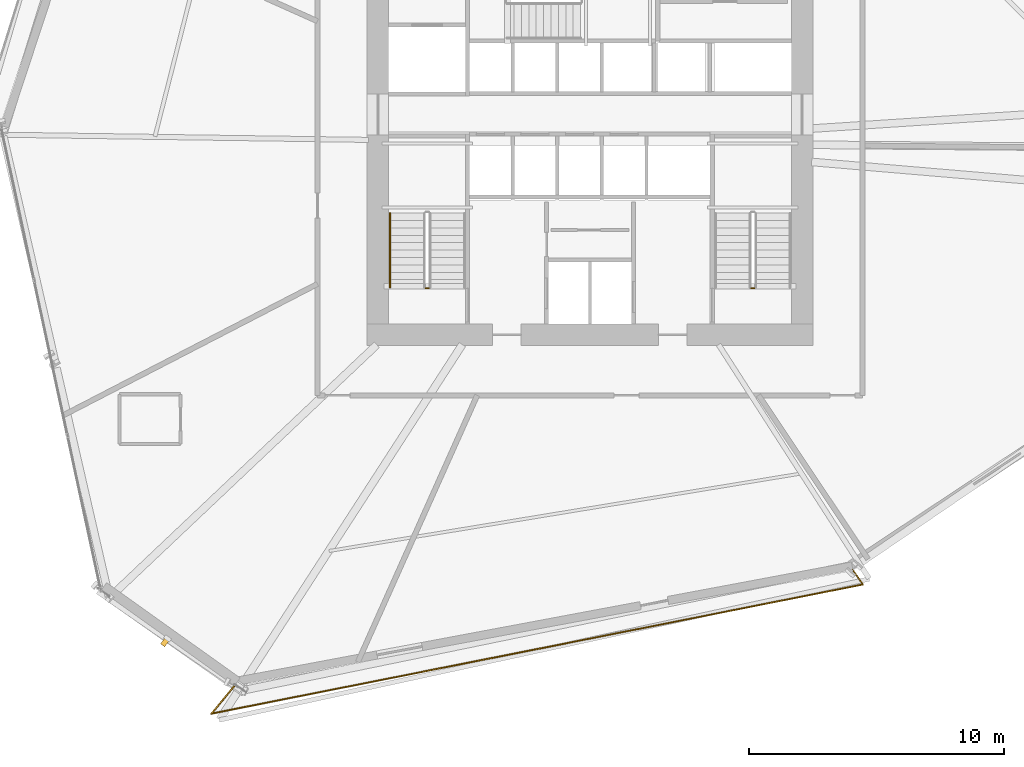
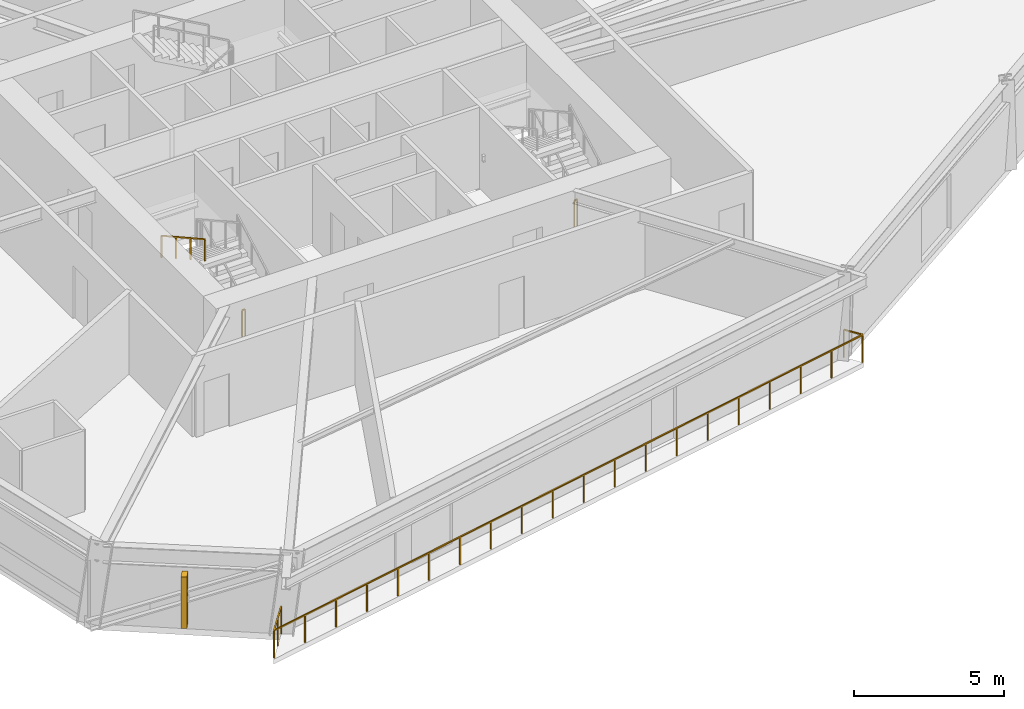
# One storey, part 21 of 24: 4 railings, 1 shading device.
"""IFC4 building model written with IfcOpenShell, lengths in metres."""

from ifc_helpers import new_model, si_unit, direction, frame, origin, origin_2d, place, context, subcontext, project, spatial, rectangle, extrude, source, transform, mapped, material, type_object, element, save


model = new_model("IFC4")

# Units and contexts
model_context = context("Model", 3, precision=1e-05, world=origin(), true_north=direction((0.0, 1.0)))
body_context = subcontext(model_context, "Body", "Model", "MODEL_VIEW")
ifc_project = project(units=[si_unit("LENGTHUNIT", "METRE"), si_unit("AREAUNIT", "SQUARE_METRE"), si_unit("VOLUMEUNIT", "CUBIC_METRE"), si_unit("PLANEANGLEUNIT", "RADIAN"), si_unit("MASSUNIT", "GRAM", prefix="KILO")], contexts=[model_context])

# Site, building, storey
site_placement = place(None, origin())
site = spatial("IfcSite", under=ifc_project, at=site_placement, CompositionType="ELEMENT")
building_placement = place(site_placement, origin())
building = spatial("IfcBuilding", under=site, at=building_placement, Name="Olszyna Solenne Hotel", CompositionType="ELEMENT")
storey_placement = place(building_placement, frame((0.0, 0.0, 29.300048828125)))
storey = spatial("IfcBuildingStorey", under=building, at=storey_placement, Name="L06", CompositionType="ELEMENT", Elevation=29.300048828125)

# Railings
ifc_material_1 = material(Name="Anodised bronze aluminium", Category="aluminium")
railing_type_1 = type_object("IfcRailingType", Name="GR-110", PredefinedType="BALUSTRADE", material=ifc_material_1)
railing_1_placement = place(storey_placement, frame((24.047119140625, 5.29833984375, 0.0)))
element("IfcRailing", 1, at=railing_1_placement, inside=storey, type_object=railing_type_1, Name="Loggia balcony balustrade guard GR-L06-LG3", PredefinedType="BALUSTRADE", context=body_context, shape_type="SweptSolid", body=[
    extrude(rectangle(XDim=0.048095703125, YDim=0.048095703125, at=origin_2d()), frame((0.0, 0.0, 1.1259765625), z_axis=(-0.638014949025, -0.770023976783, 0.0), x_axis=(0.770023976783, -0.638014949025, 0.0)), (0.0, 0.0, 1.0), 1.41845703125),
    extrude(rectangle(XDim=0.048095703125, YDim=0.048095703125, at=origin_2d()), frame((-0.905029296875, -1.09228515625, 1.1259765625), z_axis=(0.980904961377, 0.194487677621, 0.0), x_axis=(-0.194487677621, 0.980904961377, 0.0)), (0.0, 0.0, 1.0), 26.067626953125),
    extrude(rectangle(XDim=0.048095703125, YDim=0.048095703125, at=origin_2d()), frame((24.664794921875, 3.9775390625, 1.1259765625), z_axis=(-0.570203437107, 0.821503524224, 0.0), x_axis=(-0.821503524224, -0.570203437107, 0.0)), (0.0, 0.0, 1.0), 0.689697265625),
    extrude(rectangle(XDim=0.0419921875, YDim=0.0419921875, at=origin_2d()), origin(), (0.0, 0.0, 1.0), 1.101806640625),
    extrude(rectangle(XDim=0.0419921875, YDim=0.0419921875, at=origin_2d()), frame((-0.45263671875, -0.546142578125, 0.0)), (0.0, 0.0, 1.0), 1.101806640625),
    extrude(rectangle(XDim=0.0419921875, YDim=0.0419921875, at=origin_2d()), frame((-0.905029296875, -1.09228515625, 0.0)), (0.0, 0.0, 1.0), 1.101806640625),
    extrude(rectangle(XDim=0.0419921875, YDim=0.0419921875, at=origin_2d()), frame((0.440673828125, -0.825439453125, 0.0)), (0.0, 0.0, 1.0), 1.101806640625),
    extrude(rectangle(XDim=0.0419921875, YDim=0.0419921875, at=origin_2d()), frame((1.78662109375, -0.55859375, 0.0)), (0.0, 0.0, 1.0), 1.101806640625),
    extrude(rectangle(XDim=0.0419921875, YDim=0.0419921875, at=origin_2d()), frame((3.13232421875, -0.291748046875, 0.0)), (0.0, 0.0, 1.0), 1.101806640625),
    extrude(rectangle(XDim=0.0419921875, YDim=0.0419921875, at=origin_2d()), frame((4.47802734375, -0.02490234375, 0.0)), (0.0, 0.0, 1.0), 1.101806640625),
    extrude(rectangle(XDim=0.0419921875, YDim=0.0419921875, at=origin_2d()), frame((5.823974609375, 0.241943359375, 0.0)), (0.0, 0.0, 1.0), 1.101806640625),
    extrude(rectangle(XDim=0.0419921875, YDim=0.0419921875, at=origin_2d()), frame((7.169677734375, 0.5087890625, 0.0)), (0.0, 0.0, 1.0), 1.101806640625),
    extrude(rectangle(XDim=0.0419921875, YDim=0.0419921875, at=origin_2d()), frame((8.515380859375, 0.775634765625, 0.0)), (0.0, 0.0, 1.0), 1.101806640625),
    extrude(rectangle(XDim=0.0419921875, YDim=0.0419921875, at=origin_2d()), frame((9.861328125, 1.04248046875, 0.0)), (0.0, 0.0, 1.0), 1.101806640625),
    extrude(rectangle(XDim=0.0419921875, YDim=0.0419921875, at=origin_2d()), frame((11.20703125, 1.309326171875, 0.0)), (0.0, 0.0, 1.0), 1.101806640625),
    extrude(rectangle(XDim=0.0419921875, YDim=0.0419921875, at=origin_2d()), frame((12.552734375, 1.575927734375, 0.0)), (0.0, 0.0, 1.0), 1.101806640625),
    extrude(rectangle(XDim=0.0419921875, YDim=0.0419921875, at=origin_2d()), frame((13.8984375, 1.8427734375, 0.0)), (0.0, 0.0, 1.0), 1.101806640625),
    extrude(rectangle(XDim=0.0419921875, YDim=0.0419921875, at=origin_2d()), frame((15.244384765625, 2.109619140625, 0.0)), (0.0, 0.0, 1.0), 1.101806640625),
    extrude(rectangle(XDim=0.0419921875, YDim=0.0419921875, at=origin_2d()), frame((16.590087890625, 2.37646484375, 0.0)), (0.0, 0.0, 1.0), 1.101806640625),
    extrude(rectangle(XDim=0.0419921875, YDim=0.0419921875, at=origin_2d()), frame((17.935791015625, 2.643310546875, 0.0)), (0.0, 0.0, 1.0), 1.101806640625),
    extrude(rectangle(XDim=0.0419921875, YDim=0.0419921875, at=origin_2d()), frame((19.28173828125, 2.91015625, 0.0)), (0.0, 0.0, 1.0), 1.101806640625),
    extrude(rectangle(XDim=0.0419921875, YDim=0.0419921875, at=origin_2d()), frame((20.62744140625, 3.177001953125, 0.0)), (0.0, 0.0, 1.0), 1.101806640625),
    extrude(rectangle(XDim=0.0419921875, YDim=0.0419921875, at=origin_2d()), frame((21.97314453125, 3.44384765625, 0.0)), (0.0, 0.0, 1.0), 1.101806640625),
    extrude(rectangle(XDim=0.0419921875, YDim=0.0419921875, at=origin_2d()), frame((23.319091796875, 3.710693359375, 0.0)), (0.0, 0.0, 1.0), 1.101806640625),
    extrude(rectangle(XDim=0.0419921875, YDim=0.0419921875, at=origin_2d()), frame((24.664794921875, 3.9775390625, 0.0)), (0.0, 0.0, 1.0), 1.101806640625),
    extrude(rectangle(XDim=0.0419921875, YDim=0.0419921875, at=origin_2d()), frame((24.271484375, 4.544189453125, 0.0)), (0.0, 0.0, 1.0), 1.101806640625),
])
for number, where, name in (
    (2, (31.669921875, 20.89990234375, 0.0), "L06 ST1 stair guard 4"),
    (3, (44.449951171875, 20.89990234375, 0.0), "L06 ST2 stair guard 4"),
):
    element("IfcRailing", number, at=place(storey_placement, frame(where)), inside=storey, type_object=railing_type_1, Name=name, PredefinedType="BALUSTRADE", context=body_context, shape_type="SweptSolid", body=[
        extrude(rectangle(XDim=0.048095703125, YDim=0.048095703125, at=origin_2d()), frame((0.0, 0.0, 1.076171875), z_axis=(-1.0, 0.0, 0.0), x_axis=(0.0, -1.0, 0.0)), (0.0, 0.0, 1.0), 0.119873046875),
        extrude(rectangle(XDim=0.0419921875, YDim=0.0419921875, at=origin_2d()), origin(), (0.0, 0.0, 1.0), 1.052001953125),
        extrude(rectangle(XDim=0.0419921875, YDim=0.0419921875, at=origin_2d()), frame((-0.119873046875, 0.0, 0.0)), (0.0, 0.0, 1.0), 1.052001953125),
    ])
ifc_material_2 = material(Name="Steel S355J2", Category="steel")
railing_type_2 = type_object("IfcRailingType", Name="HR-090", PredefinedType="HANDRAIL", material=ifc_material_2)
railing_2_placement = place(storey_placement, frame((30.14990234375, 23.85009765625, 1.936279296875)))
element("IfcRailing", 4, at=railing_2_placement, inside=storey, type_object=railing_type_2, Name="L06 ST1 stair handrail 2", PredefinedType="HANDRAIL", context=body_context, shape_type="SweptSolid", body=[
    extrude(rectangle(XDim=0.048095703125, YDim=0.048095703125, at=origin_2d()), frame((0.0, 0.0, 0.8759765625), z_axis=(0.0, -0.873827439584, 0.48623616261), x_axis=(1.0, 0.0, 0.0)), (0.0, 0.0, 1.0), 3.31884765625),
    extrude(rectangle(XDim=0.0419921875, YDim=0.0419921875, at=origin_2d()), origin(), (0.0, 0.0, 1.0), 0.851806640625),
    extrude(rectangle(XDim=0.0419921875, YDim=0.0419921875, at=origin_2d()), frame((0.0, -0.966796875, 0.537841796875)), (0.0, 0.0, 1.0), 0.851806640625),
    extrude(rectangle(XDim=0.0419921875, YDim=0.0419921875, at=origin_2d()), frame((0.0, -1.933349609375, 1.075927734375)), (0.0, 0.0, 1.0), 0.851806640625),
    extrude(rectangle(XDim=0.0419921875, YDim=0.0419921875, at=origin_2d()), frame((0.0, -2.900146484375, 1.61376953125)), (0.0, 0.0, 1.0), 0.851806640625),
])

# Shading device
ifc_material_3 = material(Name="Terracotta cladding", Category="masonry")
shading_device_type = type_object("IfcShadingDeviceType", Name="SH-FN1", PredefinedType="USERDEFINED", material=ifc_material_3)
shared_shape = source(origin(), body_context, "Body", "SweptSolid", [
    extrude(rectangle(XDim=0.199951171875, YDim=0.35009765625, at=origin_2d()), origin(), (0.0, 0.0, 1.0), 2.10009765625),
])
shading_device_placement = place(storey_placement, frame((21.327392578125, 7.029541015625, 0.245849609375), z_axis=(0.0, 0.0, 1.0), x_axis=(-0.814115518356, 0.580702955711, 0.0)))
element("IfcShadingDevice", 5, at=shading_device_placement, inside=storey, type_object=shading_device_type, Name="Chamfer wind-corner terracotta fin FN-L06-02", ObjectType="FIN", PredefinedType="USERDEFINED", context=body_context, shape_type="MappedRepresentation", body=[
    mapped(shared_shape, transform((0.0, 0.0, 0.0), x_axis=(1.0, 0.0, 0.0), y_axis=(0.0, 1.0, 0.0), z_axis=(0.0, 0.0, 1.0), scale=1.0)),
])

save(model, "model.ifc")
